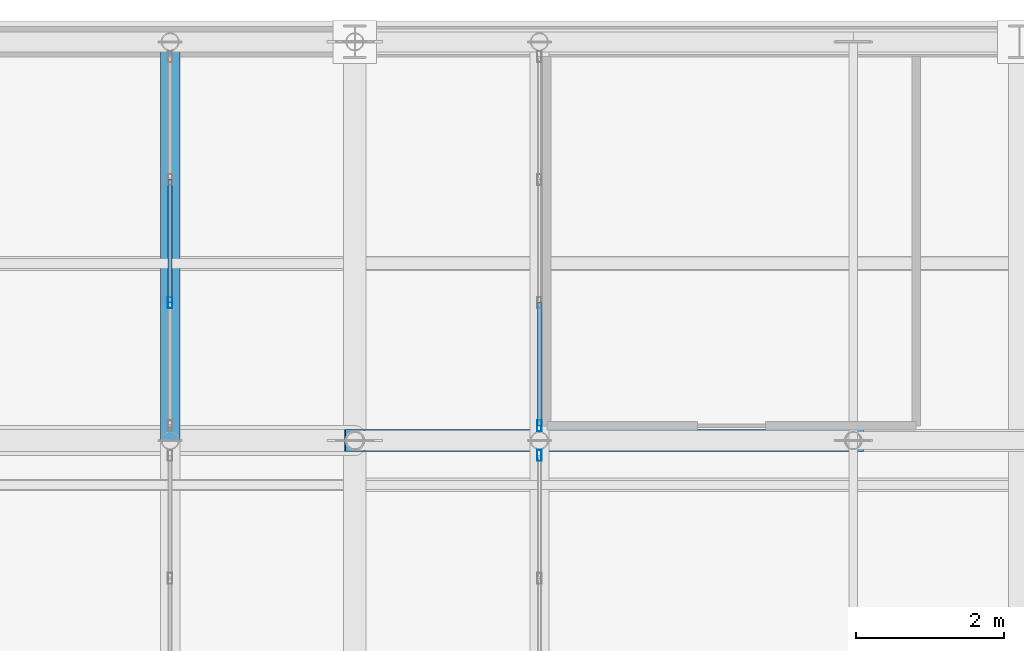
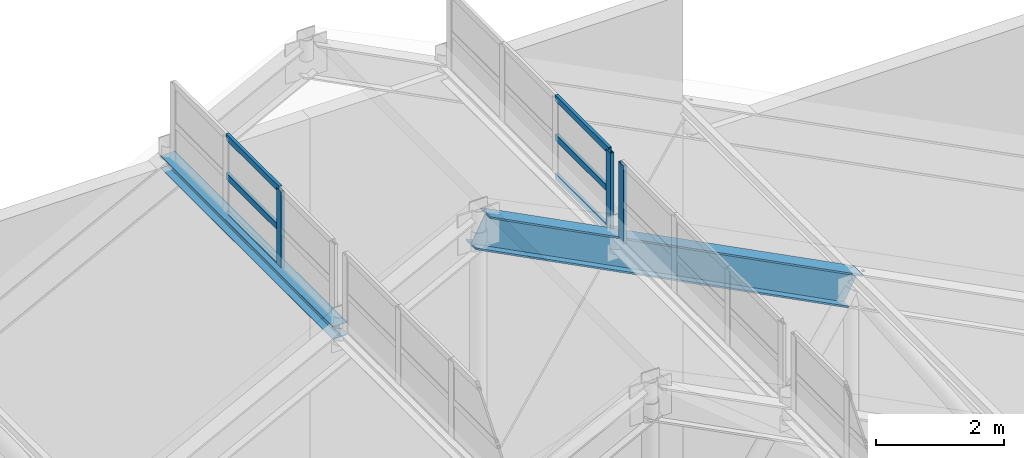
# One storey, part 59 of 84: 10 members, 1 beam, 3 elements without a shape of their own.
"""IFC4 building model written with IfcOpenShell, lengths in metres."""

from ifc_helpers import new_model, si_unit, direction, frame, origin, origin_2d, place, context, subcontext, project, spatial, hollow_rectangle, i_section, extrude, material, layer, layer_set, material_profile, profile_set, type_object, element, aggregate, save


model = new_model("IFC4")

# Units and contexts
model_context = context("Model", 3, precision=1e-05, world=origin(), true_north=direction((0.0, 1.0)))
body_context = subcontext(model_context, "Body", "Model", "MODEL_VIEW")
ifc_project = project(units=[si_unit("LENGTHUNIT", "METRE"), si_unit("AREAUNIT", "SQUARE_METRE"), si_unit("VOLUMEUNIT", "CUBIC_METRE"), si_unit("PLANEANGLEUNIT", "RADIAN"), si_unit("MASSUNIT", "GRAM", prefix="KILO")], contexts=[model_context])

# Site, building, storey
site_placement = place(None, origin())
site = spatial("IfcSite", under=ifc_project, at=site_placement, CompositionType="ELEMENT")
building_placement = place(site_placement, origin())
building = spatial("IfcBuilding", under=site, at=building_placement, Name="Sundgate Opera House", CompositionType="ELEMENT")
storey_placement = place(building_placement, frame((0.0, 0.0, 30.60009765625)))
storey = spatial("IfcBuildingStorey", under=building, at=storey_placement, Name="L06", CompositionType="ELEMENT", Elevation=30.60009765625)

# Beam
ifc_material_1 = material(Name="Steel S355J2", Category="steel")
ifc_material_profile_1 = material_profile(ifc_material_1, i_section(OverallWidth=0.260009765625, OverallDepth=0.25, WebThickness=0.007568359375, FlangeThickness=0.012451171875, at=origin_2d()), Name="HEA 260")
ifc_profile_set_1 = profile_set([ifc_material_profile_1], Name="Steel S355J2")
beam_type = type_object("IfcBeamType", Name="BM-LN-HEA260", PredefinedType="LINTEL", material=ifc_profile_set_1)
beam_placement = place(storey_placement, frame((51.5, 81.60009765625, 16.119873046875), z_axis=(0.0, 1.0, 0.0), x_axis=(-1.0, 0.0, 0.0)))
element("IfcBeam", 1, at=beam_placement, inside=storey, type_object=beam_type, Name="L06 Crown Clerestory Curb Beam BS040", PredefinedType="LINTEL", context=body_context, shape_type="SweptSolid", body=[
    extrude(i_section(OverallWidth=0.260009765625, OverallDepth=0.25, WebThickness=0.007568359375, FlangeThickness=0.012451171875, at=origin_2d()), origin(), (0.0, 0.0, 1.0), 5.39990234375),
])

# Curtain wall, member
ifc_material_2 = material(Name="Anodized aluminium and low-iron glass", Category="aluminium")
ifc_layer = layer(ifc_material_2, 0.169921875)
ifc_layer_set = layer_set([ifc_layer], Name="Anodized aluminium and low-iron glass")
curtain_wall_type = type_object("IfcCurtainWallType", Name="CW-LANTERN-POLY", PredefinedType="NOTDEFINED", material=ifc_layer_set)
curtain_wall_1_placement = place(storey_placement, origin())
curtain_wall_1 = element("IfcCurtainWall", 2, at=curtain_wall_1_placement, inside=storey, type_object=curtain_wall_type, Name="L06 Curtain Wall CW186", PredefinedType="NOTDEFINED")
ifc_material_3 = material(Name="Anodized aluminium EN AW-6063", Category="aluminium")
ifc_material_profile_2 = material_profile(ifc_material_3, hollow_rectangle(XDim=0.06005859375, YDim=0.14990234375, WallThickness=0.00390625, at=origin_2d()), Name="CWM 150x60x4")
ifc_profile_set_2 = profile_set([ifc_material_profile_2], Name="Anodized aluminium EN AW-6063")
member_type_1 = type_object("IfcMemberType", Name="CWM-ALU-150x60", PredefinedType="MULLION", material=ifc_profile_set_2)
member_1_placement = place(storey_placement, frame((56.5, 81.39990234375, 16.199951171875), z_axis=(0.0, 0.0, 1.0), x_axis=(1.0, 0.0, 0.0)))
member_1 = element("IfcMember", 3, at=member_1_placement, type_object=member_type_1, Name="CW186 Mullion 4", PredefinedType="MULLION", context=body_context, shape_type="SweptSolid", body=[
    extrude(hollow_rectangle(XDim=0.06005859375, YDim=0.14990234375, WallThickness=0.00390625, at=origin_2d()), origin(), (0.0, 0.0, 1.0), 1.5),
])
aggregate(curtain_wall_1, [member_1])

curtain_wall_2_placement = place(storey_placement, origin())
curtain_wall_2 = element("IfcCurtainWall", 4, at=curtain_wall_2_placement, inside=storey, type_object=curtain_wall_type, Name="L06 Curtain Wall CW187", PredefinedType="NOTDEFINED")
member_2_placement = place(storey_placement, frame((51.5, 83.466552734375, 16.199951171875), z_axis=(0.0, 0.0, 1.0), x_axis=(1.0, 0.0, 0.0)))
member_2 = element("IfcMember", 5, at=member_2_placement, type_object=member_type_1, Name="CW187 Mullion 3", PredefinedType="MULLION", context=body_context, shape_type="SweptSolid", body=[
    extrude(hollow_rectangle(XDim=0.06005859375, YDim=0.14990234375, WallThickness=0.00390625, at=origin_2d()), origin(), (0.0, 0.0, 1.0), 1.5),
])

curtain_wall_3_placement = place(storey_placement, origin())
curtain_wall_3 = element("IfcCurtainWall", 6, at=curtain_wall_3_placement, inside=storey, type_object=curtain_wall_type, Name="L06 Curtain Wall CW188", PredefinedType="NOTDEFINED")
member_3_placement = place(storey_placement, frame((56.5, 81.800048828125, 16.199951171875), z_axis=(0.0, 0.0, 1.0), x_axis=(1.0, 0.0, 0.0)))
member_3 = element("IfcMember", 7, at=member_3_placement, type_object=member_type_1, Name="CW188 Mullion 1", PredefinedType="MULLION", context=body_context, shape_type="SweptSolid", body=[
    extrude(hollow_rectangle(XDim=0.06005859375, YDim=0.14990234375, WallThickness=0.00390625, at=origin_2d()), origin(), (0.0, 0.0, 1.0), 1.5),
])

# Member
ifc_material_4 = material(Name="Anodized aluminium EN AW-6063", Category="aluminium")
ifc_material_profile_3 = material_profile(ifc_material_4, hollow_rectangle(XDim=0.054931640625, YDim=0.1201171875, WallThickness=0.00390625, at=origin_2d()), Name="CWT 120x55x4")
ifc_profile_set_3 = profile_set([ifc_material_profile_3], Name="Anodized aluminium EN AW-6063")
member_type_2 = type_object("IfcMemberType", Name="CWT-ALU-120x55", PredefinedType="USERDEFINED", material=ifc_profile_set_3)
member_4_placement = place(storey_placement, frame((51.5, 85.13330078125, 16.199951171875), z_axis=(0.0, -1.0, 0.0), x_axis=(1.0, 0.0, 0.0)))
member_4 = element("IfcMember", 8, at=member_4_placement, type_object=member_type_2, Name="CW187 Transom 4", ObjectType="TRANSOM", PredefinedType="USERDEFINED", context=body_context, shape_type="SweptSolid", body=[
    extrude(hollow_rectangle(XDim=0.054931640625, YDim=0.1201171875, WallThickness=0.00390625, at=origin_2d()), origin(), (0.0, 0.0, 1.0), 1.666748046875),
])

member_5_placement = place(storey_placement, frame((51.5, 85.13330078125, 16.949951171875), z_axis=(0.0, -1.0, 0.0), x_axis=(1.0, 0.0, 0.0)))
member_5 = element("IfcMember", 9, at=member_5_placement, type_object=member_type_2, Name="CW187 Transom 5", ObjectType="TRANSOM", PredefinedType="USERDEFINED", context=body_context, shape_type="SweptSolid", body=[
    extrude(hollow_rectangle(XDim=0.054931640625, YDim=0.1201171875, WallThickness=0.00390625, at=origin_2d()), origin(), (0.0, 0.0, 1.0), 1.666748046875),
])

member_6_placement = place(storey_placement, frame((51.5, 85.13330078125, 17.699951171875), z_axis=(0.0, -1.0, 0.0), x_axis=(1.0, 0.0, 0.0)))
member_6 = element("IfcMember", 10, at=member_6_placement, type_object=member_type_2, Name="CW187 Transom 6", ObjectType="TRANSOM", PredefinedType="USERDEFINED", context=body_context, shape_type="SweptSolid", body=[
    extrude(hollow_rectangle(XDim=0.054931640625, YDim=0.1201171875, WallThickness=0.00390625, at=origin_2d()), origin(), (0.0, 0.0, 1.0), 1.666748046875),
])

aggregate(curtain_wall_2, [member_2, member_4, member_5, member_6])

member_7_placement = place(storey_placement, frame((56.5, 81.800048828125, 16.199951171875), z_axis=(0.0, 1.0, 0.0), x_axis=(-1.0, 0.0, 0.0)))
member_7 = element("IfcMember", 11, at=member_7_placement, type_object=member_type_2, Name="CW188 Transom 1", ObjectType="TRANSOM", PredefinedType="USERDEFINED", context=body_context, shape_type="SweptSolid", body=[
    extrude(hollow_rectangle(XDim=0.054931640625, YDim=0.1201171875, WallThickness=0.00390625, at=origin_2d()), origin(), (0.0, 0.0, 1.0), 1.66650390625),
])

member_8_placement = place(storey_placement, frame((56.5, 81.800048828125, 16.949951171875), z_axis=(0.0, 1.0, 0.0), x_axis=(-1.0, 0.0, 0.0)))
member_8 = element("IfcMember", 12, at=member_8_placement, type_object=member_type_2, Name="CW188 Transom 2", ObjectType="TRANSOM", PredefinedType="USERDEFINED", context=body_context, shape_type="SweptSolid", body=[
    extrude(hollow_rectangle(XDim=0.054931640625, YDim=0.1201171875, WallThickness=0.00390625, at=origin_2d()), origin(), (0.0, 0.0, 1.0), 1.66650390625),
])

member_9_placement = place(storey_placement, frame((56.5, 81.800048828125, 17.699951171875), z_axis=(0.0, 1.0, 0.0), x_axis=(-1.0, 0.0, 0.0)))
member_9 = element("IfcMember", 13, at=member_9_placement, type_object=member_type_2, Name="CW188 Transom 3", ObjectType="TRANSOM", PredefinedType="USERDEFINED", context=body_context, shape_type="SweptSolid", body=[
    extrude(hollow_rectangle(XDim=0.054931640625, YDim=0.1201171875, WallThickness=0.00390625, at=origin_2d()), origin(), (0.0, 0.0, 1.0), 1.66650390625),
])

aggregate(curtain_wall_3, [member_3, member_7, member_8, member_9])

ifc_material_5 = material(Name="Steel S355J2", Category="steel")
ifc_material_profile_4 = material_profile(ifc_material_5, i_section(OverallWidth=0.300048828125, OverallDepth=0.60009765625, WebThickness=0.015380859375, FlangeThickness=0.030029296875, at=origin_2d()), Name="HEB 600")
ifc_profile_set_4 = profile_set([ifc_material_profile_4], Name="Steel S355J2")
member_type_3 = type_object("IfcMemberType", Name="MB-CHORD-HEB600", PredefinedType="CHORD", material=ifc_profile_set_4)
member_10_placement = place(storey_placement, frame((54.0, 81.60009765625, 17.199951171875), z_axis=(0.888960276237, 0.0, -0.457984308981), x_axis=(0.0, 1.0, 0.0)))
element("IfcMember", 14, at=member_10_placement, inside=storey, type_object=member_type_3, Name="L06 Fly-Tower Truss Top Chord M0204", PredefinedType="CHORD", context=body_context, shape_type="SweptSolid", body=[
    extrude(i_section(OverallWidth=0.300048828125, OverallDepth=0.60009765625, WebThickness=0.015380859375, FlangeThickness=0.030029296875, at=origin_2d()), origin(), (0.0, 0.0, 1.0), 7.59326171875),
])

save(model, "model.ifc")
